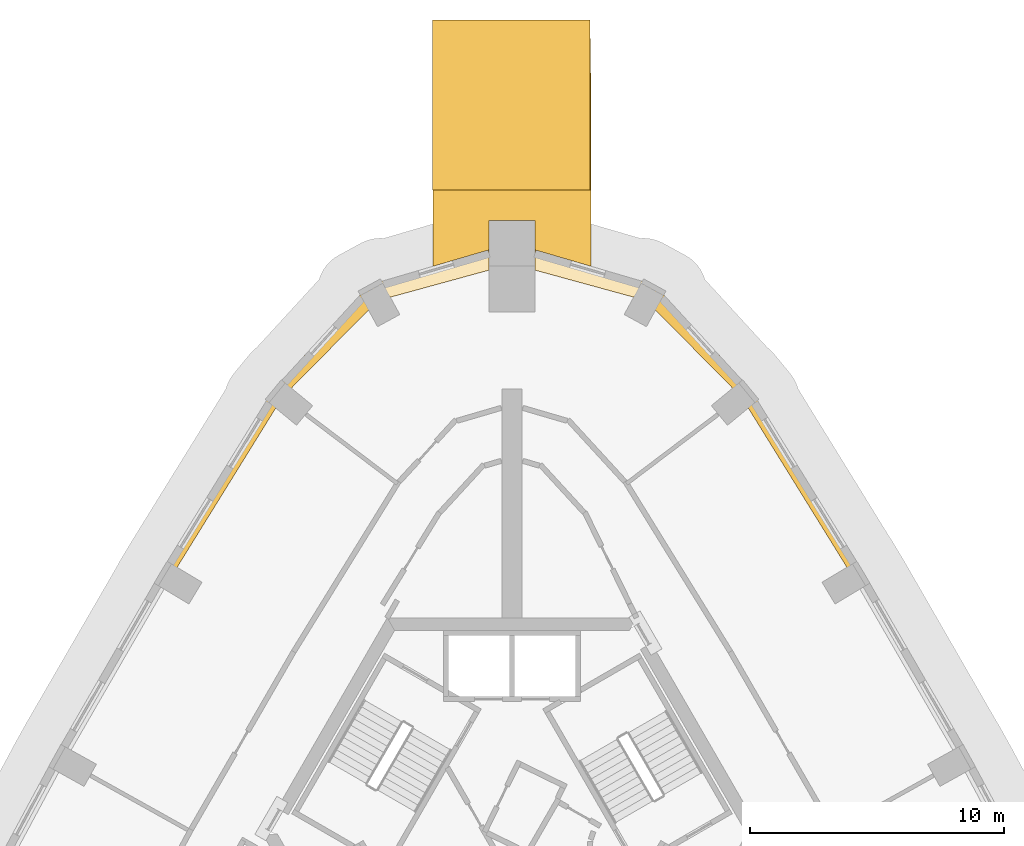
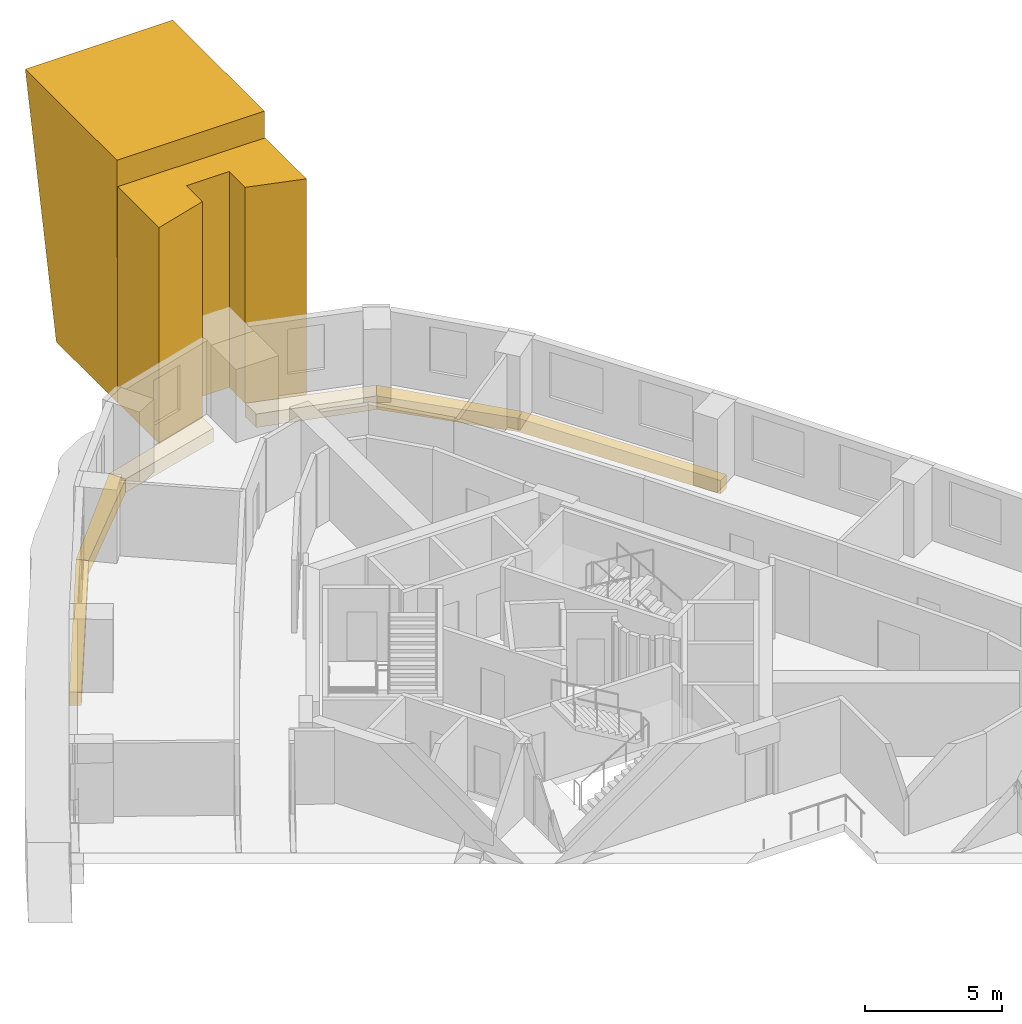
# One storey, part 11 of 11: 8 coverings.
"""IFC4 building model written with IfcOpenShell, lengths in metres."""

from ifc_helpers import new_model, si_unit, direction, frame, origin, place, context, subcontext, project, spatial, polyline, outline, extrude, material, type_object, element, save


model = new_model("IFC4")

# Units and contexts
model_context = context("Model", 3, precision=1e-05, world=origin(), true_north=direction((0.0, 1.0)))
body_context = subcontext(model_context, "Body", "Model", "MODEL_VIEW")
ifc_project = project(units=[si_unit("LENGTHUNIT", "METRE"), si_unit("AREAUNIT", "SQUARE_METRE"), si_unit("VOLUMEUNIT", "CUBIC_METRE"), si_unit("PLANEANGLEUNIT", "RADIAN"), si_unit("MASSUNIT", "GRAM", prefix="KILO")], contexts=[model_context])

# Site, building, storey
site_placement = place(None, origin())
site = spatial("IfcSite", under=ifc_project, at=site_placement, CompositionType="ELEMENT")
building_placement = place(site_placement, origin())
building = spatial("IfcBuilding", under=site, at=building_placement, Name="Entoto Arch Interchange Tower", CompositionType="ELEMENT")
storey_placement = place(building_placement, frame((0.0, 0.0, 308.0)))
storey = spatial("IfcBuildingStorey", under=building, at=storey_placement, Name="L72", CompositionType="ELEMENT", Elevation=308.0)

# Coverings
ifc_material = material(Name="Board-marked precast concrete C50/60", Category="concrete")
covering_type_1 = type_object("IfcCoveringType", Name="PRECAST FRAME COURSE", PredefinedType="CLADDING", material=ifc_material)
covering_1_placement = place(storey_placement, frame((0.0, 0.0, -0.340087890625)))
element("IfcCovering", 1, at=covering_1_placement, inside=storey, type_object=covering_type_1, Name="Corner pilaster N L72-L74", PredefinedType="CLADDING", context=body_context, shape_type="SweptSolid", body=[
    extrude(outline(polyline([(-3.10009765625, 27.8369140625), (3.10009765625, 27.8369140625), (3.10009765625, 24.830078125), (0.89990234375, 25.47412109375), (0.89990234375, 26.636962890625), (-0.89990234375, 26.636962890625), (-0.89990234375, 25.47412109375), (-3.10009765625, 24.830078125), (-3.10009765625, 27.8369140625)])), origin(), (0.0, 0.0, 1.0), 9.60009765625),
])
covering_2_placement = place(storey_placement, frame((3.10009765625, 27.8369140625, -0.340087890625), z_axis=(0.999995615315, 0.0, 0.002961308986), x_axis=(0.0, 1.0, 0.0)))
element("IfcCovering", 2, at=covering_2_placement, inside=storey, type_object=covering_type_1, Name="Corner rib N L72-L74", PredefinedType="CLADDING", context=body_context, shape_type="SweptSolid", body=[
    extrude(outline(polyline([(0.0, 0.0), (4.47119140625, 0.0), (6.68017578125, 10.800096183145461), (0.0, 10.800096183145461), (0.0, 0.0)])), origin(), (0.0, 0.0, -1.0), 6.199951171875),
])
covering_type_2 = type_object("IfcCoveringType", Name="PRECAST LEDGE COURSE", PredefinedType="CLADDING", material=ifc_material)
covering_3_placement = place(storey_placement, frame((0.0, 0.0, -0.93994140625)))
element("IfcCovering", 3, at=covering_3_placement, inside=storey, type_object=covering_type_2, Name="Precast course NE-03 L72", PredefinedType="CLADDING", context=body_context, shape_type="SweptSolid", body=[
    extrude(outline(polyline([(9.031982421875, 19.677001953125), (9.39404296875, 19.97509765625), (13.825927734375, 12.7919921875), (13.43798828125, 12.56005859375), (9.031982421875, 19.677001953125)])), origin(), (0.0, 0.0, 1.0), 0.599853515625),
])
covering_4_placement = place(storey_placement, frame((0.0, 0.0, -0.93994140625)))
element("IfcCovering", 4, at=covering_4_placement, inside=storey, type_object=covering_type_2, Name="Precast course N-01 L72", PredefinedType="CLADDING", context=body_context, shape_type="SweptSolid", body=[
    extrude(outline(polyline([(5.281005859375, 23.47705078125), (5.616943359375, 24.093994140625), (9.39404296875, 19.97509765625), (9.031982421875, 19.677001953125), (5.281005859375, 23.47705078125)])), origin(), (0.0, 0.0, 1.0), 0.599853515625),
])
covering_5_placement = place(storey_placement, frame((0.0, 0.0, -0.93994140625)))
element("IfcCovering", 5, at=covering_5_placement, inside=storey, type_object=covering_type_2, Name="Precast course N-02 L72", PredefinedType="CLADDING", context=body_context, shape_type="SweptSolid", body=[
    extrude(outline(polyline([(0.89990234375, 24.677001953125), (0.89990234375, 25.47412109375), (5.616943359375, 24.093994140625), (5.281005859375, 23.47705078125), (0.89990234375, 24.677001953125)])), origin(), (0.0, 0.0, 1.0), 0.599853515625),
])
covering_6_placement = place(storey_placement, frame((0.0, 0.0, -0.93994140625)))
element("IfcCovering", 6, at=covering_6_placement, inside=storey, type_object=covering_type_2, Name="Precast course N-03 L72", PredefinedType="CLADDING", context=body_context, shape_type="SweptSolid", body=[
    extrude(outline(polyline([(-5.281005859375, 23.47705078125), (-5.616943359375, 24.093994140625), (-0.89990234375, 25.47412109375), (-0.89990234375, 24.677001953125), (-5.281005859375, 23.47705078125)])), origin(), (0.0, 0.0, 1.0), 0.599853515625),
])
covering_7_placement = place(storey_placement, frame((0.0, 0.0, -0.93994140625)))
element("IfcCovering", 7, at=covering_7_placement, inside=storey, type_object=covering_type_2, Name="Precast course N-04 L72", PredefinedType="CLADDING", context=body_context, shape_type="SweptSolid", body=[
    extrude(outline(polyline([(-9.031982421875, 19.677001953125), (-9.39404296875, 19.97509765625), (-5.616943359375, 24.093994140625), (-5.281005859375, 23.47705078125), (-9.031982421875, 19.677001953125)])), origin(), (0.0, 0.0, 1.0), 0.599853515625),
])
covering_8_placement = place(storey_placement, frame((0.0, 0.0, -0.93994140625)))
element("IfcCovering", 8, at=covering_8_placement, inside=storey, type_object=covering_type_2, Name="Precast course NW-01 L72", PredefinedType="CLADDING", context=body_context, shape_type="SweptSolid", body=[
    extrude(outline(polyline([(-13.43798828125, 12.56005859375), (-13.825927734375, 12.7919921875), (-9.39404296875, 19.97509765625), (-9.031982421875, 19.677001953125), (-13.43798828125, 12.56005859375)])), origin(), (0.0, 0.0, 1.0), 0.599853515625),
])

save(model, "model.ifc")
